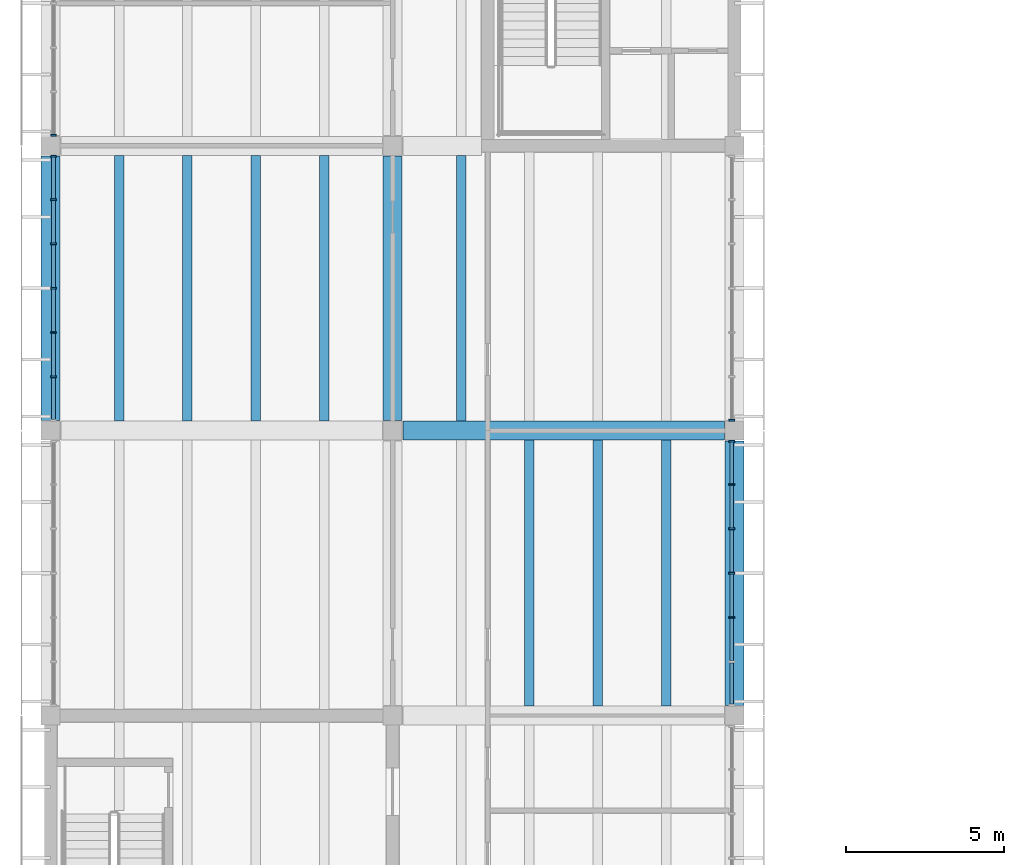
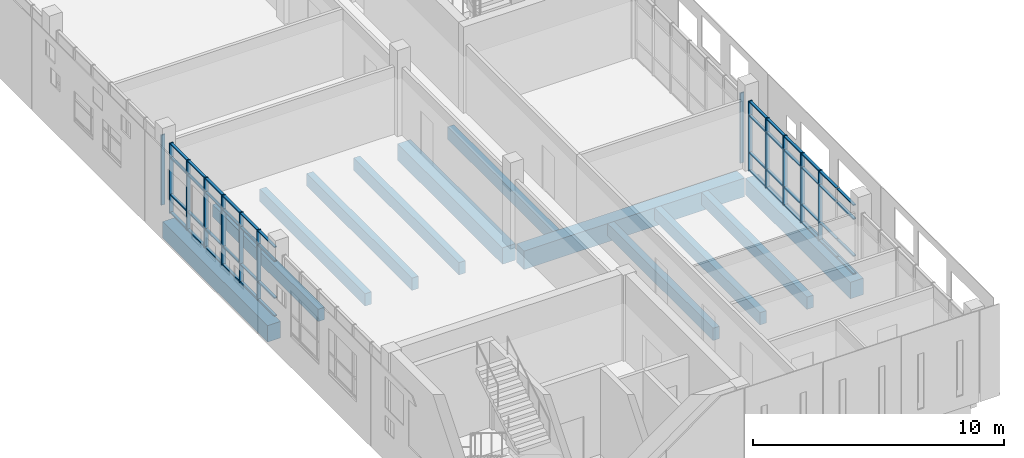
# One storey, part 15 of 88: 61 members, 12 beams, 4 elements without a shape of their own.
"""IFC4 building model written with IfcOpenShell, lengths in metres."""

from ifc_helpers import new_model, si_unit, direction, frame, origin, origin_2d, place, context, subcontext, project, spatial, rectangle, extrude, material, material_profile, profile_set, type_object, element, aggregate, save


model = new_model("IFC4")

# Units and contexts
model_context = context("Model", 3, precision=1e-05, world=origin(), true_north=direction((0.0, 1.0)))
body_context = subcontext(model_context, "Body", "Model", "MODEL_VIEW")
ifc_project = project(units=[si_unit("LENGTHUNIT", "METRE"), si_unit("AREAUNIT", "SQUARE_METRE"), si_unit("VOLUMEUNIT", "CUBIC_METRE"), si_unit("PLANEANGLEUNIT", "RADIAN"), si_unit("MASSUNIT", "GRAM", prefix="KILO")], contexts=[model_context])

# Site, building, storey
site_placement = place(None, origin())
site = spatial("IfcSite", under=ifc_project, at=site_placement, CompositionType="ELEMENT")
building_placement = place(site_placement, origin())
building = spatial("IfcBuilding", under=site, at=building_placement, Name="Merrow Basin Faculty of Sciences", CompositionType="ELEMENT")
storey_placement = place(building_placement, frame((0.0, 0.0, 9.0)))
storey = spatial("IfcBuildingStorey", under=building, at=storey_placement, Name="L02", CompositionType="ELEMENT", Elevation=9.0)

# Curtain wall, members
ifc_material_1 = material(Name="Aluminium alloy 6063", Category="aluminium")
curtain_wall_type = type_object("IfcCurtainWallType", Name="Bar unitised curtain wall 180", PredefinedType="NOTDEFINED", material=ifc_material_1)
curtain_wall_1_placement = place(storey_placement, origin())
curtain_wall_1 = element("IfcCurtainWall", 1, at=curtain_wall_1_placement, inside=storey, type_object=curtain_wall_type, Name="West curtain wall L02 2", PredefinedType="NOTDEFINED")
ifc_material_2 = material(Name="Aluminium alloy 6063", Category="aluminium")
ifc_material_profile_1 = material_profile(ifc_material_2, rectangle(XDim=0.179931640625, YDim=0.06005859375, at=origin_2d()))
ifc_profile_set_1 = profile_set([ifc_material_profile_1], Name="Aluminium alloy 6063")
member_type_1 = type_object("IfcMemberType", Name="Aluminium mullion 60x180", PredefinedType="MULLION", material=ifc_profile_set_1)
member_1_placement = place(storey_placement, frame((0.090087890625, 80.699951171875, 0.0), z_axis=(0.0, 0.0, 1.0), x_axis=(-1.0, 0.0, 0.0)))
member_1 = element("IfcMember", 2, at=member_1_placement, type_object=member_type_1, Name="CW1 mullion 2", PredefinedType="MULLION", context=body_context, shape_type="SweptSolid", body=[
    extrude(rectangle(XDim=0.179931640625, YDim=0.06005859375, at=origin_2d()), origin(), (0.0, 0.0, 1.0), 3.39990234375),
])
member_2_placement = place(storey_placement, frame((0.090087890625, 82.10009765625, 0.0), z_axis=(0.0, 0.0, 1.0), x_axis=(-1.0, 0.0, 0.0)))
member_2 = element("IfcMember", 3, at=member_2_placement, type_object=member_type_1, Name="CW1 mullion 3", PredefinedType="MULLION", context=body_context, shape_type="SweptSolid", body=[
    extrude(rectangle(XDim=0.179931640625, YDim=0.06005859375, at=origin_2d()), origin(), (0.0, 0.0, 1.0), 3.39990234375),
])
member_3_placement = place(storey_placement, frame((0.090087890625, 83.5, 0.0), z_axis=(0.0, 0.0, 1.0), x_axis=(-1.0, 0.0, 0.0)))
member_3 = element("IfcMember", 4, at=member_3_placement, type_object=member_type_1, Name="CW1 mullion 4", PredefinedType="MULLION", context=body_context, shape_type="SweptSolid", body=[
    extrude(rectangle(XDim=0.179931640625, YDim=0.06005859375, at=origin_2d()), origin(), (0.0, 0.0, 1.0), 3.39990234375),
])
member_4_placement = place(storey_placement, frame((0.090087890625, 84.89990234375, 0.0), z_axis=(0.0, 0.0, 1.0), x_axis=(-1.0, 0.0, 0.0)))
member_4 = element("IfcMember", 5, at=member_4_placement, type_object=member_type_1, Name="CW1 mullion 5", PredefinedType="MULLION", context=body_context, shape_type="SweptSolid", body=[
    extrude(rectangle(XDim=0.179931640625, YDim=0.06005859375, at=origin_2d()), origin(), (0.0, 0.0, 1.0), 3.39990234375),
])
member_5_placement = place(storey_placement, frame((0.090087890625, 86.300048828125, 0.0), z_axis=(0.0, 0.0, 1.0), x_axis=(-1.0, 0.0, 0.0)))
member_5 = element("IfcMember", 6, at=member_5_placement, type_object=member_type_1, Name="CW1 mullion 6", PredefinedType="MULLION", context=body_context, shape_type="SweptSolid", body=[
    extrude(rectangle(XDim=0.179931640625, YDim=0.06005859375, at=origin_2d()), origin(), (0.0, 0.0, 1.0), 3.39990234375),
])
member_6_placement = place(storey_placement, frame((0.090087890625, 87.669921875, 0.0), z_axis=(0.0, 0.0, 1.0), x_axis=(-1.0, 0.0, 0.0)))
member_6 = element("IfcMember", 7, at=member_6_placement, type_object=member_type_1, Name="CW1 mullion 7", PredefinedType="MULLION", context=body_context, shape_type="SweptSolid", body=[
    extrude(rectangle(XDim=0.179931640625, YDim=0.06005859375, at=origin_2d()), origin(), (0.0, 0.0, 1.0), 3.39990234375),
])

# Curtain wall, member
curtain_wall_2_placement = place(storey_placement, origin())
curtain_wall_2 = element("IfcCurtainWall", 8, at=curtain_wall_2_placement, inside=storey, type_object=curtain_wall_type, Name="West curtain wall L02 3", PredefinedType="NOTDEFINED")
member_7_placement = place(storey_placement, frame((0.090087890625, 88.330078125, 0.0), z_axis=(0.0, 0.0, 1.0), x_axis=(-1.0, 0.0, 0.0)))
member_7 = element("IfcMember", 9, at=member_7_placement, type_object=member_type_1, Name="CW1 mullion 1", PredefinedType="MULLION", context=body_context, shape_type="SweptSolid", body=[
    extrude(rectangle(XDim=0.179931640625, YDim=0.06005859375, at=origin_2d()), origin(), (0.0, 0.0, 1.0), 3.39990234375),
])
aggregate(curtain_wall_2, [member_7])

# Curtain wall, members
curtain_wall_3_placement = place(storey_placement, origin())
curtain_wall_3 = element("IfcCurtainWall", 10, at=curtain_wall_3_placement, inside=storey, type_object=curtain_wall_type, Name="East curtain wall L02 2", PredefinedType="NOTDEFINED")
member_8_placement = place(storey_placement, frame((21.510009765625, 73.10009765625, 0.0), z_axis=(0.0, 0.0, 1.0), x_axis=(-1.0, 0.0, 0.0)))
member_8 = element("IfcMember", 11, at=member_8_placement, type_object=member_type_1, Name="CW1 mullion 3", PredefinedType="MULLION", context=body_context, shape_type="SweptSolid", body=[
    extrude(rectangle(XDim=0.179931640625, YDim=0.06005859375, at=origin_2d()), origin(), (0.0, 0.0, 1.0), 3.39990234375),
])
member_9_placement = place(storey_placement, frame((21.510009765625, 74.5, 0.0), z_axis=(0.0, 0.0, 1.0), x_axis=(-1.0, 0.0, 0.0)))
member_9 = element("IfcMember", 12, at=member_9_placement, type_object=member_type_1, Name="CW1 mullion 4", PredefinedType="MULLION", context=body_context, shape_type="SweptSolid", body=[
    extrude(rectangle(XDim=0.179931640625, YDim=0.06005859375, at=origin_2d()), origin(), (0.0, 0.0, 1.0), 3.39990234375),
])
member_10_placement = place(storey_placement, frame((21.510009765625, 75.89990234375, 0.0), z_axis=(0.0, 0.0, 1.0), x_axis=(-1.0, 0.0, 0.0)))
member_10 = element("IfcMember", 13, at=member_10_placement, type_object=member_type_1, Name="CW1 mullion 5", PredefinedType="MULLION", context=body_context, shape_type="SweptSolid", body=[
    extrude(rectangle(XDim=0.179931640625, YDim=0.06005859375, at=origin_2d()), origin(), (0.0, 0.0, 1.0), 3.39990234375),
])
member_11_placement = place(storey_placement, frame((21.510009765625, 77.300048828125, 0.0), z_axis=(0.0, 0.0, 1.0), x_axis=(-1.0, 0.0, 0.0)))
member_11 = element("IfcMember", 14, at=member_11_placement, type_object=member_type_1, Name="CW1 mullion 6", PredefinedType="MULLION", context=body_context, shape_type="SweptSolid", body=[
    extrude(rectangle(XDim=0.179931640625, YDim=0.06005859375, at=origin_2d()), origin(), (0.0, 0.0, 1.0), 3.39990234375),
])
member_12_placement = place(storey_placement, frame((21.510009765625, 78.669921875, 0.0), z_axis=(0.0, 0.0, 1.0), x_axis=(-1.0, 0.0, 0.0)))
member_12 = element("IfcMember", 15, at=member_12_placement, type_object=member_type_1, Name="CW1 mullion 7", PredefinedType="MULLION", context=body_context, shape_type="SweptSolid", body=[
    extrude(rectangle(XDim=0.179931640625, YDim=0.06005859375, at=origin_2d()), origin(), (0.0, 0.0, 1.0), 3.39990234375),
])

# Curtain wall, member
curtain_wall_4_placement = place(storey_placement, origin())
curtain_wall_4 = element("IfcCurtainWall", 16, at=curtain_wall_4_placement, inside=storey, type_object=curtain_wall_type, Name="East curtain wall L02 3", PredefinedType="NOTDEFINED")
member_13_placement = place(storey_placement, frame((21.510009765625, 79.330078125, 0.0), z_axis=(0.0, 0.0, 1.0), x_axis=(-1.0, 0.0, 0.0)))
member_13 = element("IfcMember", 17, at=member_13_placement, type_object=member_type_1, Name="CW1 mullion 1", PredefinedType="MULLION", context=body_context, shape_type="SweptSolid", body=[
    extrude(rectangle(XDim=0.179931640625, YDim=0.06005859375, at=origin_2d()), origin(), (0.0, 0.0, 1.0), 3.39990234375),
])
aggregate(curtain_wall_4, [member_13])

# Member
ifc_material_3 = material(Name="Aluminium alloy 6063", Category="aluminium")
ifc_material_profile_2 = material_profile(ifc_material_3, rectangle(XDim=0.1201171875, YDim=0.06005859375, at=origin_2d()))
ifc_profile_set_2 = profile_set([ifc_material_profile_2], Name="Aluminium alloy 6063")
member_type_2 = type_object("IfcMemberType", Name="Aluminium transom 60x120", PredefinedType="USERDEFINED", material=ifc_profile_set_2)
member_14_placement = place(storey_placement, frame((0.090087890625, 79.360107421875, 0.030029296875), z_axis=(0.0, 1.0, 0.0), x_axis=(-1.0, 0.0, 0.0)))
member_14 = element("IfcMember", 18, at=member_14_placement, type_object=member_type_2, Name="CW1 transom 1.1", ObjectType="TRANSOM", PredefinedType="USERDEFINED", context=body_context, shape_type="SweptSolid", body=[
    extrude(rectangle(XDim=0.1201171875, YDim=0.06005859375, at=origin_2d()), origin(), (0.0, 0.0, 1.0), 1.309814453125),
])

member_15_placement = place(storey_placement, frame((0.090087890625, 79.360107421875, 0.89990234375), z_axis=(0.0, 1.0, 0.0), x_axis=(-1.0, 0.0, 0.0)))
member_15 = element("IfcMember", 19, at=member_15_placement, type_object=member_type_2, Name="CW1 transom 1.2", ObjectType="TRANSOM", PredefinedType="USERDEFINED", context=body_context, shape_type="SweptSolid", body=[
    extrude(rectangle(XDim=0.1201171875, YDim=0.06005859375, at=origin_2d()), origin(), (0.0, 0.0, 1.0), 1.309814453125),
])

member_16_placement = place(storey_placement, frame((0.090087890625, 79.360107421875, 2.699951171875), z_axis=(0.0, 1.0, 0.0), x_axis=(-1.0, 0.0, 0.0)))
member_16 = element("IfcMember", 20, at=member_16_placement, type_object=member_type_2, Name="CW1 transom 1.3", ObjectType="TRANSOM", PredefinedType="USERDEFINED", context=body_context, shape_type="SweptSolid", body=[
    extrude(rectangle(XDim=0.1201171875, YDim=0.06005859375, at=origin_2d()), origin(), (0.0, 0.0, 1.0), 1.309814453125),
])

member_17_placement = place(storey_placement, frame((0.090087890625, 79.360107421875, 3.3701171875), z_axis=(0.0, 1.0, 0.0), x_axis=(-1.0, 0.0, 0.0)))
member_17 = element("IfcMember", 21, at=member_17_placement, type_object=member_type_2, Name="CW1 transom 1.4", ObjectType="TRANSOM", PredefinedType="USERDEFINED", context=body_context, shape_type="SweptSolid", body=[
    extrude(rectangle(XDim=0.1201171875, YDim=0.06005859375, at=origin_2d()), origin(), (0.0, 0.0, 1.0), 1.309814453125),
])

member_18_placement = place(storey_placement, frame((0.090087890625, 80.72998046875, 0.030029296875), z_axis=(0.0, 1.0, 0.0), x_axis=(-1.0, 0.0, 0.0)))
member_18 = element("IfcMember", 22, at=member_18_placement, type_object=member_type_2, Name="CW1 transom 2.1", ObjectType="TRANSOM", PredefinedType="USERDEFINED", context=body_context, shape_type="SweptSolid", body=[
    extrude(rectangle(XDim=0.1201171875, YDim=0.06005859375, at=origin_2d()), origin(), (0.0, 0.0, 1.0), 1.340087890625),
])

member_19_placement = place(storey_placement, frame((0.090087890625, 80.72998046875, 0.89990234375), z_axis=(0.0, 1.0, 0.0), x_axis=(-1.0, 0.0, 0.0)))
member_19 = element("IfcMember", 23, at=member_19_placement, type_object=member_type_2, Name="CW1 transom 2.2", ObjectType="TRANSOM", PredefinedType="USERDEFINED", context=body_context, shape_type="SweptSolid", body=[
    extrude(rectangle(XDim=0.1201171875, YDim=0.06005859375, at=origin_2d()), origin(), (0.0, 0.0, 1.0), 1.340087890625),
])

member_20_placement = place(storey_placement, frame((0.090087890625, 80.72998046875, 2.699951171875), z_axis=(0.0, 1.0, 0.0), x_axis=(-1.0, 0.0, 0.0)))
member_20 = element("IfcMember", 24, at=member_20_placement, type_object=member_type_2, Name="CW1 transom 2.3", ObjectType="TRANSOM", PredefinedType="USERDEFINED", context=body_context, shape_type="SweptSolid", body=[
    extrude(rectangle(XDim=0.1201171875, YDim=0.06005859375, at=origin_2d()), origin(), (0.0, 0.0, 1.0), 1.340087890625),
])

member_21_placement = place(storey_placement, frame((0.090087890625, 80.72998046875, 3.3701171875), z_axis=(0.0, 1.0, 0.0), x_axis=(-1.0, 0.0, 0.0)))
member_21 = element("IfcMember", 25, at=member_21_placement, type_object=member_type_2, Name="CW1 transom 2.4", ObjectType="TRANSOM", PredefinedType="USERDEFINED", context=body_context, shape_type="SweptSolid", body=[
    extrude(rectangle(XDim=0.1201171875, YDim=0.06005859375, at=origin_2d()), origin(), (0.0, 0.0, 1.0), 1.340087890625),
])

member_22_placement = place(storey_placement, frame((0.090087890625, 82.1298828125, 0.030029296875), z_axis=(0.0, 1.0, 0.0), x_axis=(-1.0, 0.0, 0.0)))
member_22 = element("IfcMember", 26, at=member_22_placement, type_object=member_type_2, Name="CW1 transom 3.1", ObjectType="TRANSOM", PredefinedType="USERDEFINED", context=body_context, shape_type="SweptSolid", body=[
    extrude(rectangle(XDim=0.1201171875, YDim=0.06005859375, at=origin_2d()), origin(), (0.0, 0.0, 1.0), 1.340087890625),
])

member_23_placement = place(storey_placement, frame((0.090087890625, 82.1298828125, 0.89990234375), z_axis=(0.0, 1.0, 0.0), x_axis=(-1.0, 0.0, 0.0)))
member_23 = element("IfcMember", 27, at=member_23_placement, type_object=member_type_2, Name="CW1 transom 3.2", ObjectType="TRANSOM", PredefinedType="USERDEFINED", context=body_context, shape_type="SweptSolid", body=[
    extrude(rectangle(XDim=0.1201171875, YDim=0.06005859375, at=origin_2d()), origin(), (0.0, 0.0, 1.0), 1.340087890625),
])

member_24_placement = place(storey_placement, frame((0.090087890625, 82.1298828125, 2.699951171875), z_axis=(0.0, 1.0, 0.0), x_axis=(-1.0, 0.0, 0.0)))
member_24 = element("IfcMember", 28, at=member_24_placement, type_object=member_type_2, Name="CW1 transom 3.3", ObjectType="TRANSOM", PredefinedType="USERDEFINED", context=body_context, shape_type="SweptSolid", body=[
    extrude(rectangle(XDim=0.1201171875, YDim=0.06005859375, at=origin_2d()), origin(), (0.0, 0.0, 1.0), 1.340087890625),
])

member_25_placement = place(storey_placement, frame((0.090087890625, 82.1298828125, 3.3701171875), z_axis=(0.0, 1.0, 0.0), x_axis=(-1.0, 0.0, 0.0)))
member_25 = element("IfcMember", 29, at=member_25_placement, type_object=member_type_2, Name="CW1 transom 3.4", ObjectType="TRANSOM", PredefinedType="USERDEFINED", context=body_context, shape_type="SweptSolid", body=[
    extrude(rectangle(XDim=0.1201171875, YDim=0.06005859375, at=origin_2d()), origin(), (0.0, 0.0, 1.0), 1.340087890625),
])

member_26_placement = place(storey_placement, frame((0.090087890625, 83.530029296875, 0.030029296875), z_axis=(0.0, 1.0, 0.0), x_axis=(-1.0, 0.0, 0.0)))
member_26 = element("IfcMember", 30, at=member_26_placement, type_object=member_type_2, Name="CW1 transom 4.1", ObjectType="TRANSOM", PredefinedType="USERDEFINED", context=body_context, shape_type="SweptSolid", body=[
    extrude(rectangle(XDim=0.1201171875, YDim=0.06005859375, at=origin_2d()), origin(), (0.0, 0.0, 1.0), 1.340087890625),
])

member_27_placement = place(storey_placement, frame((0.090087890625, 83.530029296875, 0.89990234375), z_axis=(0.0, 1.0, 0.0), x_axis=(-1.0, 0.0, 0.0)))
member_27 = element("IfcMember", 31, at=member_27_placement, type_object=member_type_2, Name="CW1 transom 4.2", ObjectType="TRANSOM", PredefinedType="USERDEFINED", context=body_context, shape_type="SweptSolid", body=[
    extrude(rectangle(XDim=0.1201171875, YDim=0.06005859375, at=origin_2d()), origin(), (0.0, 0.0, 1.0), 1.340087890625),
])

member_28_placement = place(storey_placement, frame((0.090087890625, 83.530029296875, 2.699951171875), z_axis=(0.0, 1.0, 0.0), x_axis=(-1.0, 0.0, 0.0)))
member_28 = element("IfcMember", 32, at=member_28_placement, type_object=member_type_2, Name="CW1 transom 4.3", ObjectType="TRANSOM", PredefinedType="USERDEFINED", context=body_context, shape_type="SweptSolid", body=[
    extrude(rectangle(XDim=0.1201171875, YDim=0.06005859375, at=origin_2d()), origin(), (0.0, 0.0, 1.0), 1.340087890625),
])

member_29_placement = place(storey_placement, frame((0.090087890625, 83.530029296875, 3.3701171875), z_axis=(0.0, 1.0, 0.0), x_axis=(-1.0, 0.0, 0.0)))
member_29 = element("IfcMember", 33, at=member_29_placement, type_object=member_type_2, Name="CW1 transom 4.4", ObjectType="TRANSOM", PredefinedType="USERDEFINED", context=body_context, shape_type="SweptSolid", body=[
    extrude(rectangle(XDim=0.1201171875, YDim=0.06005859375, at=origin_2d()), origin(), (0.0, 0.0, 1.0), 1.340087890625),
])

member_30_placement = place(storey_placement, frame((0.090087890625, 84.929931640625, 0.030029296875), z_axis=(0.0, 1.0, 0.0), x_axis=(-1.0, 0.0, 0.0)))
member_30 = element("IfcMember", 34, at=member_30_placement, type_object=member_type_2, Name="CW1 transom 5.1", ObjectType="TRANSOM", PredefinedType="USERDEFINED", context=body_context, shape_type="SweptSolid", body=[
    extrude(rectangle(XDim=0.1201171875, YDim=0.06005859375, at=origin_2d()), origin(), (0.0, 0.0, 1.0), 1.340087890625),
])

member_31_placement = place(storey_placement, frame((0.090087890625, 84.929931640625, 0.89990234375), z_axis=(0.0, 1.0, 0.0), x_axis=(-1.0, 0.0, 0.0)))
member_31 = element("IfcMember", 35, at=member_31_placement, type_object=member_type_2, Name="CW1 transom 5.2", ObjectType="TRANSOM", PredefinedType="USERDEFINED", context=body_context, shape_type="SweptSolid", body=[
    extrude(rectangle(XDim=0.1201171875, YDim=0.06005859375, at=origin_2d()), origin(), (0.0, 0.0, 1.0), 1.340087890625),
])

member_32_placement = place(storey_placement, frame((0.090087890625, 84.929931640625, 2.699951171875), z_axis=(0.0, 1.0, 0.0), x_axis=(-1.0, 0.0, 0.0)))
member_32 = element("IfcMember", 36, at=member_32_placement, type_object=member_type_2, Name="CW1 transom 5.3", ObjectType="TRANSOM", PredefinedType="USERDEFINED", context=body_context, shape_type="SweptSolid", body=[
    extrude(rectangle(XDim=0.1201171875, YDim=0.06005859375, at=origin_2d()), origin(), (0.0, 0.0, 1.0), 1.340087890625),
])

member_33_placement = place(storey_placement, frame((0.090087890625, 84.929931640625, 3.3701171875), z_axis=(0.0, 1.0, 0.0), x_axis=(-1.0, 0.0, 0.0)))
member_33 = element("IfcMember", 37, at=member_33_placement, type_object=member_type_2, Name="CW1 transom 5.4", ObjectType="TRANSOM", PredefinedType="USERDEFINED", context=body_context, shape_type="SweptSolid", body=[
    extrude(rectangle(XDim=0.1201171875, YDim=0.06005859375, at=origin_2d()), origin(), (0.0, 0.0, 1.0), 1.340087890625),
])

member_34_placement = place(storey_placement, frame((0.090087890625, 86.330078125, 0.030029296875), z_axis=(0.0, 1.0, 0.0), x_axis=(-1.0, 0.0, 0.0)))
member_34 = element("IfcMember", 38, at=member_34_placement, type_object=member_type_2, Name="CW1 transom 6.1", ObjectType="TRANSOM", PredefinedType="USERDEFINED", context=body_context, shape_type="SweptSolid", body=[
    extrude(rectangle(XDim=0.1201171875, YDim=0.06005859375, at=origin_2d()), origin(), (0.0, 0.0, 1.0), 1.309814453125),
])

member_35_placement = place(storey_placement, frame((0.090087890625, 86.330078125, 0.89990234375), z_axis=(0.0, 1.0, 0.0), x_axis=(-1.0, 0.0, 0.0)))
member_35 = element("IfcMember", 39, at=member_35_placement, type_object=member_type_2, Name="CW1 transom 6.2", ObjectType="TRANSOM", PredefinedType="USERDEFINED", context=body_context, shape_type="SweptSolid", body=[
    extrude(rectangle(XDim=0.1201171875, YDim=0.06005859375, at=origin_2d()), origin(), (0.0, 0.0, 1.0), 1.309814453125),
])

member_36_placement = place(storey_placement, frame((0.090087890625, 86.330078125, 2.699951171875), z_axis=(0.0, 1.0, 0.0), x_axis=(-1.0, 0.0, 0.0)))
member_36 = element("IfcMember", 40, at=member_36_placement, type_object=member_type_2, Name="CW1 transom 6.3", ObjectType="TRANSOM", PredefinedType="USERDEFINED", context=body_context, shape_type="SweptSolid", body=[
    extrude(rectangle(XDim=0.1201171875, YDim=0.06005859375, at=origin_2d()), origin(), (0.0, 0.0, 1.0), 1.309814453125),
])

member_37_placement = place(storey_placement, frame((0.090087890625, 86.330078125, 3.3701171875), z_axis=(0.0, 1.0, 0.0), x_axis=(-1.0, 0.0, 0.0)))
member_37 = element("IfcMember", 41, at=member_37_placement, type_object=member_type_2, Name="CW1 transom 6.4", ObjectType="TRANSOM", PredefinedType="USERDEFINED", context=body_context, shape_type="SweptSolid", body=[
    extrude(rectangle(XDim=0.1201171875, YDim=0.06005859375, at=origin_2d()), origin(), (0.0, 0.0, 1.0), 1.309814453125),
])

aggregate(curtain_wall_1, [member_1, member_2, member_3, member_4, member_5, member_6, member_14, member_15, member_16, member_17, member_18, member_19, member_20, member_21, member_22, member_23, member_24, member_25, member_26, member_27, member_28, member_29, member_30, member_31, member_32, member_33, member_34, member_35, member_36, member_37])

member_38_placement = place(storey_placement, frame((21.510009765625, 70.360107421875, 0.030029296875), z_axis=(0.0, 1.0, 0.0), x_axis=(-1.0, 0.0, 0.0)))
member_38 = element("IfcMember", 42, at=member_38_placement, type_object=member_type_2, Name="CW1 transom 1.1", ObjectType="TRANSOM", PredefinedType="USERDEFINED", context=body_context, shape_type="SweptSolid", body=[
    extrude(rectangle(XDim=0.1201171875, YDim=0.06005859375, at=origin_2d()), origin(), (0.0, 0.0, 1.0), 1.309814453125),
])

member_39_placement = place(storey_placement, frame((21.510009765625, 70.360107421875, 0.89990234375), z_axis=(0.0, 1.0, 0.0), x_axis=(-1.0, 0.0, 0.0)))
member_39 = element("IfcMember", 43, at=member_39_placement, type_object=member_type_2, Name="CW1 transom 1.2", ObjectType="TRANSOM", PredefinedType="USERDEFINED", context=body_context, shape_type="SweptSolid", body=[
    extrude(rectangle(XDim=0.1201171875, YDim=0.06005859375, at=origin_2d()), origin(), (0.0, 0.0, 1.0), 1.309814453125),
])

member_40_placement = place(storey_placement, frame((21.510009765625, 70.360107421875, 2.699951171875), z_axis=(0.0, 1.0, 0.0), x_axis=(-1.0, 0.0, 0.0)))
member_40 = element("IfcMember", 44, at=member_40_placement, type_object=member_type_2, Name="CW1 transom 1.3", ObjectType="TRANSOM", PredefinedType="USERDEFINED", context=body_context, shape_type="SweptSolid", body=[
    extrude(rectangle(XDim=0.1201171875, YDim=0.06005859375, at=origin_2d()), origin(), (0.0, 0.0, 1.0), 1.309814453125),
])

member_41_placement = place(storey_placement, frame((21.510009765625, 70.360107421875, 3.3701171875), z_axis=(0.0, 1.0, 0.0), x_axis=(-1.0, 0.0, 0.0)))
member_41 = element("IfcMember", 45, at=member_41_placement, type_object=member_type_2, Name="CW1 transom 1.4", ObjectType="TRANSOM", PredefinedType="USERDEFINED", context=body_context, shape_type="SweptSolid", body=[
    extrude(rectangle(XDim=0.1201171875, YDim=0.06005859375, at=origin_2d()), origin(), (0.0, 0.0, 1.0), 1.309814453125),
])

member_42_placement = place(storey_placement, frame((21.510009765625, 71.72998046875, 0.030029296875), z_axis=(0.0, 1.0, 0.0), x_axis=(-1.0, 0.0, 0.0)))
member_42 = element("IfcMember", 46, at=member_42_placement, type_object=member_type_2, Name="CW1 transom 2.1", ObjectType="TRANSOM", PredefinedType="USERDEFINED", context=body_context, shape_type="SweptSolid", body=[
    extrude(rectangle(XDim=0.1201171875, YDim=0.06005859375, at=origin_2d()), origin(), (0.0, 0.0, 1.0), 1.340087890625),
])

member_43_placement = place(storey_placement, frame((21.510009765625, 71.72998046875, 0.89990234375), z_axis=(0.0, 1.0, 0.0), x_axis=(-1.0, 0.0, 0.0)))
member_43 = element("IfcMember", 47, at=member_43_placement, type_object=member_type_2, Name="CW1 transom 2.2", ObjectType="TRANSOM", PredefinedType="USERDEFINED", context=body_context, shape_type="SweptSolid", body=[
    extrude(rectangle(XDim=0.1201171875, YDim=0.06005859375, at=origin_2d()), origin(), (0.0, 0.0, 1.0), 1.340087890625),
])

member_44_placement = place(storey_placement, frame((21.510009765625, 71.72998046875, 2.699951171875), z_axis=(0.0, 1.0, 0.0), x_axis=(-1.0, 0.0, 0.0)))
member_44 = element("IfcMember", 48, at=member_44_placement, type_object=member_type_2, Name="CW1 transom 2.3", ObjectType="TRANSOM", PredefinedType="USERDEFINED", context=body_context, shape_type="SweptSolid", body=[
    extrude(rectangle(XDim=0.1201171875, YDim=0.06005859375, at=origin_2d()), origin(), (0.0, 0.0, 1.0), 1.340087890625),
])

member_45_placement = place(storey_placement, frame((21.510009765625, 71.72998046875, 3.3701171875), z_axis=(0.0, 1.0, 0.0), x_axis=(-1.0, 0.0, 0.0)))
member_45 = element("IfcMember", 49, at=member_45_placement, type_object=member_type_2, Name="CW1 transom 2.4", ObjectType="TRANSOM", PredefinedType="USERDEFINED", context=body_context, shape_type="SweptSolid", body=[
    extrude(rectangle(XDim=0.1201171875, YDim=0.06005859375, at=origin_2d()), origin(), (0.0, 0.0, 1.0), 1.340087890625),
])

member_46_placement = place(storey_placement, frame((21.510009765625, 73.1298828125, 0.030029296875), z_axis=(0.0, 1.0, 0.0), x_axis=(-1.0, 0.0, 0.0)))
member_46 = element("IfcMember", 50, at=member_46_placement, type_object=member_type_2, Name="CW1 transom 3.1", ObjectType="TRANSOM", PredefinedType="USERDEFINED", context=body_context, shape_type="SweptSolid", body=[
    extrude(rectangle(XDim=0.1201171875, YDim=0.06005859375, at=origin_2d()), origin(), (0.0, 0.0, 1.0), 1.340087890625),
])

member_47_placement = place(storey_placement, frame((21.510009765625, 73.1298828125, 0.89990234375), z_axis=(0.0, 1.0, 0.0), x_axis=(-1.0, 0.0, 0.0)))
member_47 = element("IfcMember", 51, at=member_47_placement, type_object=member_type_2, Name="CW1 transom 3.2", ObjectType="TRANSOM", PredefinedType="USERDEFINED", context=body_context, shape_type="SweptSolid", body=[
    extrude(rectangle(XDim=0.1201171875, YDim=0.06005859375, at=origin_2d()), origin(), (0.0, 0.0, 1.0), 1.340087890625),
])

member_48_placement = place(storey_placement, frame((21.510009765625, 73.1298828125, 2.699951171875), z_axis=(0.0, 1.0, 0.0), x_axis=(-1.0, 0.0, 0.0)))
member_48 = element("IfcMember", 52, at=member_48_placement, type_object=member_type_2, Name="CW1 transom 3.3", ObjectType="TRANSOM", PredefinedType="USERDEFINED", context=body_context, shape_type="SweptSolid", body=[
    extrude(rectangle(XDim=0.1201171875, YDim=0.06005859375, at=origin_2d()), origin(), (0.0, 0.0, 1.0), 1.340087890625),
])

member_49_placement = place(storey_placement, frame((21.510009765625, 73.1298828125, 3.3701171875), z_axis=(0.0, 1.0, 0.0), x_axis=(-1.0, 0.0, 0.0)))
member_49 = element("IfcMember", 53, at=member_49_placement, type_object=member_type_2, Name="CW1 transom 3.4", ObjectType="TRANSOM", PredefinedType="USERDEFINED", context=body_context, shape_type="SweptSolid", body=[
    extrude(rectangle(XDim=0.1201171875, YDim=0.06005859375, at=origin_2d()), origin(), (0.0, 0.0, 1.0), 1.340087890625),
])

member_50_placement = place(storey_placement, frame((21.510009765625, 74.530029296875, 0.030029296875), z_axis=(0.0, 1.0, 0.0), x_axis=(-1.0, 0.0, 0.0)))
member_50 = element("IfcMember", 54, at=member_50_placement, type_object=member_type_2, Name="CW1 transom 4.1", ObjectType="TRANSOM", PredefinedType="USERDEFINED", context=body_context, shape_type="SweptSolid", body=[
    extrude(rectangle(XDim=0.1201171875, YDim=0.06005859375, at=origin_2d()), origin(), (0.0, 0.0, 1.0), 1.340087890625),
])

member_51_placement = place(storey_placement, frame((21.510009765625, 74.530029296875, 0.89990234375), z_axis=(0.0, 1.0, 0.0), x_axis=(-1.0, 0.0, 0.0)))
member_51 = element("IfcMember", 55, at=member_51_placement, type_object=member_type_2, Name="CW1 transom 4.2", ObjectType="TRANSOM", PredefinedType="USERDEFINED", context=body_context, shape_type="SweptSolid", body=[
    extrude(rectangle(XDim=0.1201171875, YDim=0.06005859375, at=origin_2d()), origin(), (0.0, 0.0, 1.0), 1.340087890625),
])

member_52_placement = place(storey_placement, frame((21.510009765625, 74.530029296875, 2.699951171875), z_axis=(0.0, 1.0, 0.0), x_axis=(-1.0, 0.0, 0.0)))
member_52 = element("IfcMember", 56, at=member_52_placement, type_object=member_type_2, Name="CW1 transom 4.3", ObjectType="TRANSOM", PredefinedType="USERDEFINED", context=body_context, shape_type="SweptSolid", body=[
    extrude(rectangle(XDim=0.1201171875, YDim=0.06005859375, at=origin_2d()), origin(), (0.0, 0.0, 1.0), 1.340087890625),
])

member_53_placement = place(storey_placement, frame((21.510009765625, 74.530029296875, 3.3701171875), z_axis=(0.0, 1.0, 0.0), x_axis=(-1.0, 0.0, 0.0)))
member_53 = element("IfcMember", 57, at=member_53_placement, type_object=member_type_2, Name="CW1 transom 4.4", ObjectType="TRANSOM", PredefinedType="USERDEFINED", context=body_context, shape_type="SweptSolid", body=[
    extrude(rectangle(XDim=0.1201171875, YDim=0.06005859375, at=origin_2d()), origin(), (0.0, 0.0, 1.0), 1.340087890625),
])

member_54_placement = place(storey_placement, frame((21.510009765625, 75.929931640625, 0.030029296875), z_axis=(0.0, 1.0, 0.0), x_axis=(-1.0, 0.0, 0.0)))
member_54 = element("IfcMember", 58, at=member_54_placement, type_object=member_type_2, Name="CW1 transom 5.1", ObjectType="TRANSOM", PredefinedType="USERDEFINED", context=body_context, shape_type="SweptSolid", body=[
    extrude(rectangle(XDim=0.1201171875, YDim=0.06005859375, at=origin_2d()), origin(), (0.0, 0.0, 1.0), 1.340087890625),
])

member_55_placement = place(storey_placement, frame((21.510009765625, 75.929931640625, 0.89990234375), z_axis=(0.0, 1.0, 0.0), x_axis=(-1.0, 0.0, 0.0)))
member_55 = element("IfcMember", 59, at=member_55_placement, type_object=member_type_2, Name="CW1 transom 5.2", ObjectType="TRANSOM", PredefinedType="USERDEFINED", context=body_context, shape_type="SweptSolid", body=[
    extrude(rectangle(XDim=0.1201171875, YDim=0.06005859375, at=origin_2d()), origin(), (0.0, 0.0, 1.0), 1.340087890625),
])

member_56_placement = place(storey_placement, frame((21.510009765625, 75.929931640625, 2.699951171875), z_axis=(0.0, 1.0, 0.0), x_axis=(-1.0, 0.0, 0.0)))
member_56 = element("IfcMember", 60, at=member_56_placement, type_object=member_type_2, Name="CW1 transom 5.3", ObjectType="TRANSOM", PredefinedType="USERDEFINED", context=body_context, shape_type="SweptSolid", body=[
    extrude(rectangle(XDim=0.1201171875, YDim=0.06005859375, at=origin_2d()), origin(), (0.0, 0.0, 1.0), 1.340087890625),
])

member_57_placement = place(storey_placement, frame((21.510009765625, 75.929931640625, 3.3701171875), z_axis=(0.0, 1.0, 0.0), x_axis=(-1.0, 0.0, 0.0)))
member_57 = element("IfcMember", 61, at=member_57_placement, type_object=member_type_2, Name="CW1 transom 5.4", ObjectType="TRANSOM", PredefinedType="USERDEFINED", context=body_context, shape_type="SweptSolid", body=[
    extrude(rectangle(XDim=0.1201171875, YDim=0.06005859375, at=origin_2d()), origin(), (0.0, 0.0, 1.0), 1.340087890625),
])

member_58_placement = place(storey_placement, frame((21.510009765625, 77.330078125, 0.030029296875), z_axis=(0.0, 1.0, 0.0), x_axis=(-1.0, 0.0, 0.0)))
member_58 = element("IfcMember", 62, at=member_58_placement, type_object=member_type_2, Name="CW1 transom 6.1", ObjectType="TRANSOM", PredefinedType="USERDEFINED", context=body_context, shape_type="SweptSolid", body=[
    extrude(rectangle(XDim=0.1201171875, YDim=0.06005859375, at=origin_2d()), origin(), (0.0, 0.0, 1.0), 1.309814453125),
])

member_59_placement = place(storey_placement, frame((21.510009765625, 77.330078125, 0.89990234375), z_axis=(0.0, 1.0, 0.0), x_axis=(-1.0, 0.0, 0.0)))
member_59 = element("IfcMember", 63, at=member_59_placement, type_object=member_type_2, Name="CW1 transom 6.2", ObjectType="TRANSOM", PredefinedType="USERDEFINED", context=body_context, shape_type="SweptSolid", body=[
    extrude(rectangle(XDim=0.1201171875, YDim=0.06005859375, at=origin_2d()), origin(), (0.0, 0.0, 1.0), 1.309814453125),
])

member_60_placement = place(storey_placement, frame((21.510009765625, 77.330078125, 2.699951171875), z_axis=(0.0, 1.0, 0.0), x_axis=(-1.0, 0.0, 0.0)))
member_60 = element("IfcMember", 64, at=member_60_placement, type_object=member_type_2, Name="CW1 transom 6.3", ObjectType="TRANSOM", PredefinedType="USERDEFINED", context=body_context, shape_type="SweptSolid", body=[
    extrude(rectangle(XDim=0.1201171875, YDim=0.06005859375, at=origin_2d()), origin(), (0.0, 0.0, 1.0), 1.309814453125),
])

member_61_placement = place(storey_placement, frame((21.510009765625, 77.330078125, 3.3701171875), z_axis=(0.0, 1.0, 0.0), x_axis=(-1.0, 0.0, 0.0)))
member_61 = element("IfcMember", 65, at=member_61_placement, type_object=member_type_2, Name="CW1 transom 6.4", ObjectType="TRANSOM", PredefinedType="USERDEFINED", context=body_context, shape_type="SweptSolid", body=[
    extrude(rectangle(XDim=0.1201171875, YDim=0.06005859375, at=origin_2d()), origin(), (0.0, 0.0, 1.0), 1.309814453125),
])

aggregate(curtain_wall_3, [member_8, member_9, member_10, member_11, member_12, member_38, member_39, member_40, member_41, member_42, member_43, member_44, member_45, member_46, member_47, member_48, member_49, member_50, member_51, member_52, member_53, member_54, member_55, member_56, member_57, member_58, member_59, member_60, member_61])

# Beams
ifc_material_4 = material(Name="Concrete C40/50", Category="concrete")
ifc_material_profile_3 = material_profile(ifc_material_4, rectangle(XDim=0.60009765625, YDim=0.800048828125, at=origin_2d()))
ifc_profile_set_3 = profile_set([ifc_material_profile_3], Name="Concrete C40/50")
beam_type_1 = type_object("IfcBeamType", Name="Beam RC600x800 C40/50", PredefinedType="BEAM", material=ifc_profile_set_3)
for number, where, z_axis, x_axis, name in (
    (66, (0.0, 79.324951171875, -0.699951171875), (0.0, 1.0, 0.0), (-1.0, 0.0, 0.0), "B2 L02 016"),
    (67, (10.800048828125, 79.324951171875, -0.699951171875), (0.0, 1.0, 0.0), (-1.0, 0.0, 0.0), "B2 L02 023"),
    (68, (21.60009765625, 70.324951171875, -0.699951171875), (0.0, 1.0, 0.0), (-1.0, 0.0, 0.0), "B2 L02 029"),
):
    element("IfcBeam", number, at=place(storey_placement, frame(where, z_axis=z_axis, x_axis=x_axis)), inside=storey, type_object=beam_type_1, Name=name, PredefinedType="BEAM", context=body_context, shape_type="SweptSolid", body=[
        extrude(rectangle(XDim=0.60009765625, YDim=0.800048828125, at=origin_2d()), origin(), (0.0, 0.0, 1.0), 8.35009765625),
    ])
ifc_material_5 = material(Name="Concrete C40/50", Category="concrete")
ifc_material_profile_4 = material_profile(ifc_material_5, rectangle(XDim=0.60009765625, YDim=0.89990234375, at=origin_2d()))
ifc_profile_set_4 = profile_set([ifc_material_profile_4], Name="Concrete C40/50")
beam_type_2 = type_object("IfcBeamType", Name="Beam RC600x900 C40/50", PredefinedType="BEAM", material=ifc_profile_set_4)
beam_placement = place(storey_placement, frame((11.125, 79.0, -0.75), z_axis=(1.0, 0.0, 0.0), x_axis=(0.0, 1.0, 0.0)))
element("IfcBeam", 69, at=beam_placement, inside=storey, type_object=beam_type_2, Name="B1 L02 004", PredefinedType="BEAM", context=body_context, shape_type="SweptSolid", body=[
    extrude(rectangle(XDim=0.60009765625, YDim=0.89990234375, at=origin_2d()), origin(), (0.0, 0.0, 1.0), 10.14990234375),
])
ifc_material_6 = material(Name="Concrete C40/50", Category="concrete")
ifc_material_profile_5 = material_profile(ifc_material_6, rectangle(XDim=0.300048828125, YDim=0.60009765625, at=origin_2d()))
ifc_profile_set_5 = profile_set([ifc_material_profile_5], Name="Concrete C40/50")
beam_type_3 = type_object("IfcBeamType", Name="Laboratory floor joist RC300x600 C40/50", PredefinedType="BEAM", material=ifc_profile_set_5)
for number, where, z_axis, x_axis, name in (
    (70, (2.159912109375, 79.300048828125, -0.60009765625), (0.0, 1.0, 0.0), (-1.0, 0.0, 0.0), "JL1 L02 043"),
    (71, (4.320068359375, 79.300048828125, -0.60009765625), (0.0, 1.0, 0.0), (-1.0, 0.0, 0.0), "JL1 L02 044"),
    (72, (6.47998046875, 79.300048828125, -0.60009765625), (0.0, 1.0, 0.0), (-1.0, 0.0, 0.0), "JL1 L02 045"),
    (73, (8.639892578125, 79.300048828125, -0.60009765625), (0.0, 1.0, 0.0), (-1.0, 0.0, 0.0), "JL1 L02 046"),
    (74, (15.1201171875, 70.300048828125, -0.60009765625), (0.0, 1.0, 0.0), (-1.0, 0.0, 0.0), "JL1 L02 072"),
    (75, (17.280029296875, 70.300048828125, -0.60009765625), (0.0, 1.0, 0.0), (-1.0, 0.0, 0.0), "JL1 L02 073"),
    (76, (19.43994140625, 70.300048828125, -0.60009765625), (0.0, 1.0, 0.0), (-1.0, 0.0, 0.0), "JL1 L02 074"),
    (77, (12.9599609375, 79.300048828125, -0.60009765625), (0.0, 1.0, 0.0), (-1.0, 0.0, 0.0), "JL1 L02 075"),
):
    element("IfcBeam", number, at=place(storey_placement, frame(where, z_axis=z_axis, x_axis=x_axis)), inside=storey, type_object=beam_type_3, Name=name, PredefinedType="BEAM", context=body_context, shape_type="SweptSolid", body=[
        extrude(rectangle(XDim=0.300048828125, YDim=0.60009765625, at=origin_2d()), origin(), (0.0, 0.0, 1.0), 8.39990234375),
    ])

save(model, "model.ifc")
